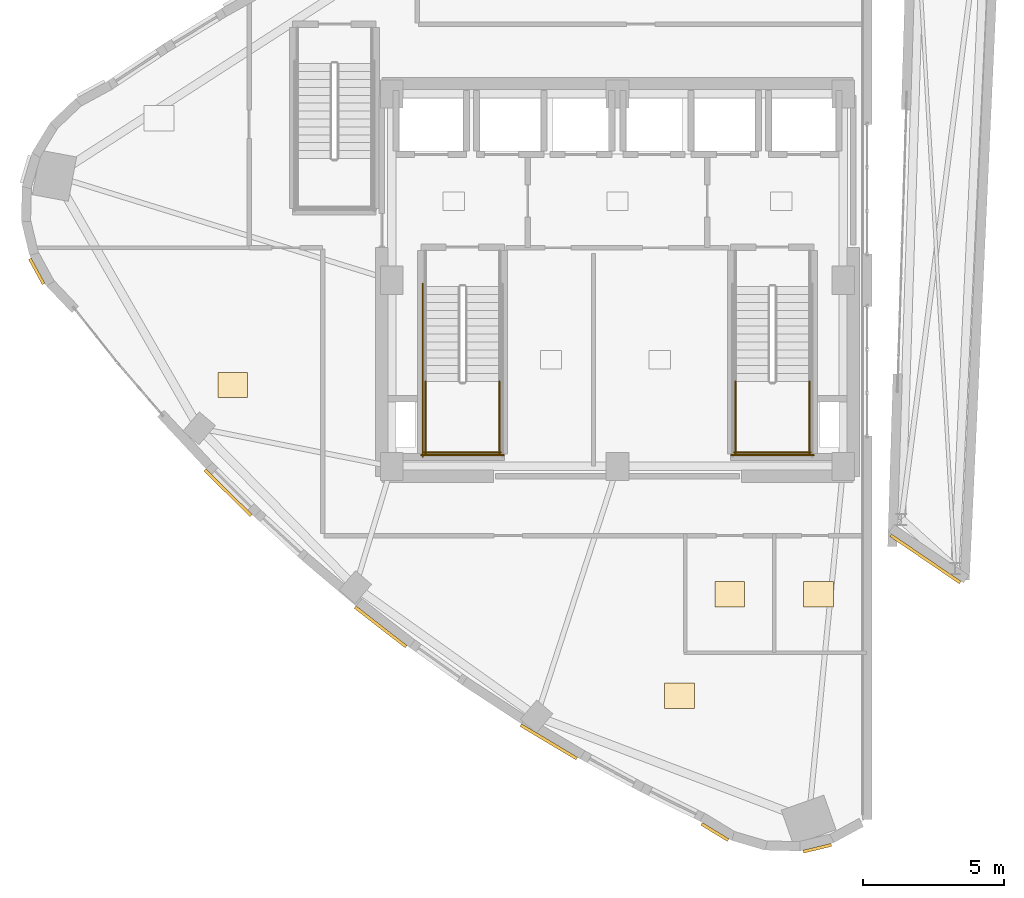
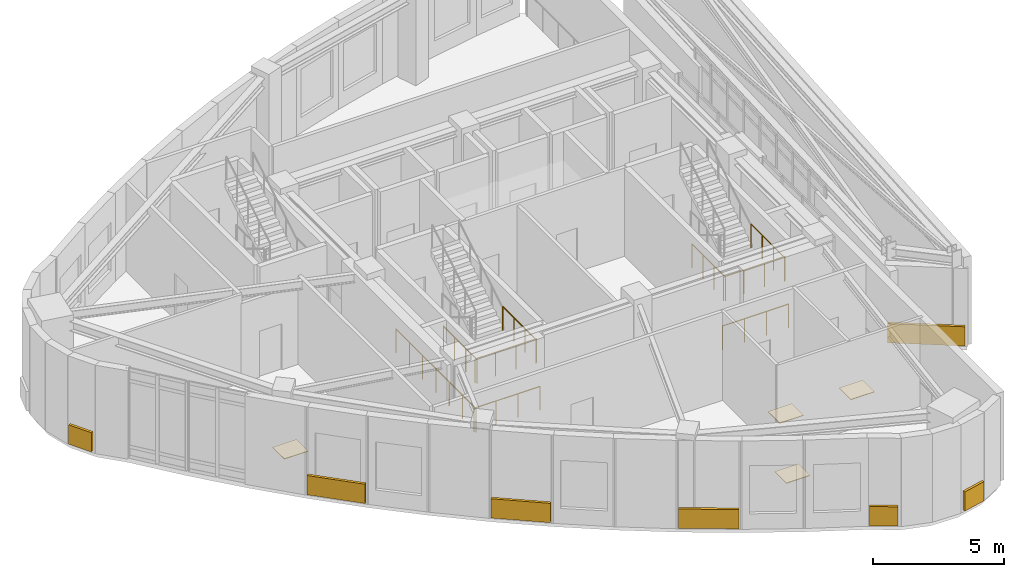
# One storey, part 17 of 19: 11 coverings, 9 railings.
"""IFC4 building model written with IfcOpenShell, lengths in metres."""

from ifc_helpers import new_model, si_unit, direction, frame, origin, origin_2d, place, context, subcontext, project, spatial, rectangle, circle, extrude, material, layer, layer_set, type_object, element, save


model = new_model("IFC4")

# Units and contexts
model_context = context("Model", 3, precision=1e-05, world=origin(), true_north=direction((0.0, 1.0)))
body_context = subcontext(model_context, "Body", "Model", "MODEL_VIEW")
ifc_project = project(units=[si_unit("LENGTHUNIT", "METRE"), si_unit("AREAUNIT", "SQUARE_METRE"), si_unit("VOLUMEUNIT", "CUBIC_METRE"), si_unit("PLANEANGLEUNIT", "RADIAN"), si_unit("MASSUNIT", "GRAM", prefix="KILO")], contexts=[model_context])

# Site, building, storey
site_placement = place(None, origin())
site = spatial("IfcSite", under=ifc_project, at=site_placement, CompositionType="ELEMENT")
building_placement = place(site_placement, origin())
building = spatial("IfcBuilding", under=site, at=building_placement, Name="Ndelora Gate Hotel", CompositionType="ELEMENT")
storey_placement = place(building_placement, frame((0.0, 0.0, 294.800048828125)))
storey = spatial("IfcBuildingStorey", under=building, at=storey_placement, Name="L73", CompositionType="ELEMENT", Elevation=294.800048828125)

# Coverings
ifc_material_1 = material(Name="Terracotta Fired Clay Brick Slip Cladding", Category="masonry")
ifc_layer_1 = layer(ifc_material_1, 0.110107421875)
ifc_layer_set_1 = layer_set([ifc_layer_1], Name="Terracotta Fired Clay Brick Slip Cladding")
covering_type_1 = type_object("IfcCoveringType", Name="COV-CLAD-BRK", PredefinedType="CLADDING", material=ifc_layer_set_1)
covering_1_placement = place(storey_placement, frame((-20.577880859375, 0.3115234375, 0.10009765625), z_axis=(0.0, 0.0, 1.0), x_axis=(-0.478538613714, 0.878066509545, 0.0)))
element("IfcCovering", 1, at=covering_1_placement, inside=storey, type_object=covering_type_1, Name="L73 Rounded-Corner Brick Cladding Band 13", PredefinedType="CLADDING", context=body_context, shape_type="SweptSolid", body=[
    extrude(rectangle(XDim=1.01611328125, YDim=0.110107421875, at=origin_2d()), origin(), (0.0, 0.0, 1.0), 0.89990234375),
])
covering_2_placement = place(storey_placement, frame((-13.801025390625, -7.532470703125, 0.10009765625), z_axis=(0.0, 0.0, 1.0), x_axis=(-0.709816657042, 0.704386480127, 0.0)))
element("IfcCovering", 2, at=covering_2_placement, inside=storey, type_object=covering_type_1, Name="L73 Rounded-Corner Brick Cladding Band 19", PredefinedType="CLADDING", context=body_context, shape_type="SweptSolid", body=[
    extrude(rectangle(XDim=2.301025390625, YDim=0.110107421875, at=origin_2d()), origin(), (0.0, 0.0, 1.0), 0.89990234375),
])
covering_3_placement = place(storey_placement, frame((-8.393798828125, -12.284912109375, 0.10009765625), z_axis=(0.0, 0.0, 1.0), x_axis=(-0.789833986695, 0.613320693815, 0.0)))
element("IfcCovering", 3, at=covering_3_placement, inside=storey, type_object=covering_type_1, Name="L73 Rounded-Corner Brick Cladding Band 22", PredefinedType="CLADDING", context=body_context, shape_type="SweptSolid", body=[
    extrude(rectangle(XDim=2.2890625, YDim=0.110107421875, at=origin_2d()), origin(), (0.0, 0.0, 1.0), 0.89990234375),
])
covering_4_placement = place(storey_placement, frame((-2.436279296875, -16.357421875, 0.10009765625), z_axis=(0.0, 0.0, 1.0), x_axis=(-0.857885593737, 0.513840741921, 0.0)))
element("IfcCovering", 4, at=covering_4_placement, inside=storey, type_object=covering_type_1, Name="L73 Rounded-Corner Brick Cladding Band 25", PredefinedType="CLADDING", context=body_context, shape_type="SweptSolid", body=[
    extrude(rectangle(XDim=2.31298828125, YDim=0.110107421875, at=origin_2d()), origin(), (0.0, 0.0, 1.0), 0.89990234375),
])
covering_5_placement = place(storey_placement, frame((3.449462890625, -19.552734375, 0.10009765625), z_axis=(0.0, 0.0, 1.0), x_axis=(-0.853368878608, 0.521307545528, 0.0)))
element("IfcCovering", 5, at=covering_5_placement, inside=storey, type_object=covering_type_1, Name="L73 Rounded-Corner Brick Cladding Band 28", PredefinedType="CLADDING", context=body_context, shape_type="SweptSolid", body=[
    extrude(rectangle(XDim=1.09912109375, YDim=0.110107421875, at=origin_2d()), origin(), (0.0, 0.0, 1.0), 0.89990234375),
])
covering_6_placement = place(storey_placement, frame((7.0830078125, -20.12890625, 0.10009765625), z_axis=(0.0, 0.0, 1.0), x_axis=(0.972002025815, 0.234972470325, 0.0)))
element("IfcCovering", 6, at=covering_6_placement, inside=storey, type_object=covering_type_1, Name="L73 Rounded-Corner Brick Cladding Band 34", PredefinedType="CLADDING", context=body_context, shape_type="SweptSolid", body=[
    extrude(rectangle(XDim=1.01611328125, YDim=0.110107421875, at=origin_2d()), origin(), (0.0, 0.0, 1.0), 0.89990234375),
])
covering_7_placement = place(storey_placement, frame((10.909423828125, -9.8759765625, 0.10009765625), z_axis=(0.0, 0.0, 1.0), x_axis=(-0.826884319778, 0.562372049186, 0.0)))
element("IfcCovering", 7, at=covering_7_placement, inside=storey, type_object=covering_type_1, Name="L73 Rounded-Corner Brick Cladding Band 1", PredefinedType="CLADDING", context=body_context, shape_type="SweptSolid", body=[
    extrude(rectangle(XDim=2.98291015625, YDim=0.110107421875, at=origin_2d()), origin(), (0.0, 0.0, 1.0), 0.89990234375),
])
ifc_material_2 = material(Name="Engineered Highland Oak Parquet", Category="wood")
ifc_layer_2 = layer(ifc_material_2, 0.030029296875)
ifc_layer_set_2 = layer_set([ifc_layer_2], Name="Engineered Highland Oak Parquet")
covering_type_2 = type_object("IfcCoveringType", Name="COV-FLR-PARQ", PredefinedType="FLOORING", material=ifc_layer_set_2)
for number, where, z_axis, x_axis, name in (
    (8, (-13.63623046875, -3.71337890625, 0.0), (0.0, 0.0, 1.0), (1.0, 0.0, 0.0), "L73 Private Summit Dining Room Oak Parquet Flooring"),
    (9, (2.19775390625, -14.725341796875, 0.0), (0.0, 0.0, 1.0), (1.0, 0.0, 0.0), "L73 Finishing Catering Kitchen Oak Parquet Flooring"),
    (10, (3.97509765625, -11.125, 0.0), (0.0, 0.0, 1.0), (1.0, 0.0, 0.0), "L73 Female Public Restroom Oak Parquet Flooring"),
    (11, (7.119873046875, -11.125, 0.0), (0.0, 0.0, 1.0), (1.0, 0.0, 0.0), "L73 Accessible WC Oak Parquet Flooring"),
):
    element("IfcCovering", number, at=place(storey_placement, frame(where, z_axis=z_axis, x_axis=x_axis)), inside=storey, type_object=covering_type_2, Name=name, PredefinedType="FLOORING", context=body_context, shape_type="SweptSolid", body=[
        extrude(rectangle(XDim=1.050048828125, YDim=0.89990234375, at=origin_2d()), origin(), (0.0, 0.0, 1.0), 0.030029296875),
    ])

# Railings
ifc_material_3 = material(Name="Painted Galvanized Steel Balustrade", Category="steel")
ifc_layer_3 = layer(ifc_material_3, 0.06005859375)
ifc_layer_set_3 = layer_set([ifc_layer_3], Name="Painted Galvanized Steel Balustrade")
railing_type = type_object("IfcRailingType", Name="RL-STAIR-GD", PredefinedType="GUARDRAIL", material=ifc_layer_set_3)
for number, where, name in (
    (12, (-6.800048828125, -3.590087890625, 2.199951171875), "L73 ST4 stair guard 3"),
    (13, (-4.179931640625, -3.590087890625, 2.199951171875), "L73 ST4 stair guard 4"),
):
    element("IfcRailing", number, at=place(storey_placement, frame(where)), inside=storey, type_object=railing_type, Name=name, PredefinedType="GUARDRAIL", context=body_context, shape_type="SweptSolid", body=[
        extrude(circle(Radius=0.02392578125, at=origin_2d()), frame((0.0, 0.0, 1.10595703125), z_axis=(0.0, -1.0, 0.0), x_axis=(1.0, 0.0, 0.0)), (0.0, 0.0, 1.0), 2.559814453125),
        extrude(circle(Radius=0.02099609375, at=origin_2d()), origin(), (0.0, 0.0, 1.0), 1.081787109375),
        extrude(circle(Radius=0.02099609375, at=origin_2d()), frame((0.0, -0.853271484375, 0.0)), (0.0, 0.0, 1.0), 1.081787109375),
        extrude(circle(Radius=0.02099609375, at=origin_2d()), frame((0.0, -1.70654296875, 0.0)), (0.0, 0.0, 1.0), 1.081787109375),
        extrude(circle(Radius=0.02099609375, at=origin_2d()), frame((0.0, -2.559814453125, 0.0)), (0.0, 0.0, 1.0), 1.081787109375),
    ])
railing_1_placement = place(storey_placement, frame((-6.85009765625, -6.10009765625, 2.199951171875)))
element("IfcRailing", 14, at=railing_1_placement, inside=storey, type_object=railing_type, Name="L73 ST4 stair guard 5", PredefinedType="GUARDRAIL", context=body_context, shape_type="SweptSolid", body=[
    extrude(circle(Radius=0.02392578125, at=origin_2d()), frame((0.0, 0.0, 1.10595703125), z_axis=(1.0, 0.0, 0.0), x_axis=(0.0, 1.0, 0.0)), (0.0, 0.0, 1.0), 2.72021484375),
    extrude(circle(Radius=0.02099609375, at=origin_2d()), origin(), (0.0, 0.0, 1.0), 1.081787109375),
    extrude(circle(Radius=0.02099609375, at=origin_2d()), frame((0.90673828125, 0.0, 0.0)), (0.0, 0.0, 1.0), 1.081787109375),
    extrude(circle(Radius=0.02099609375, at=origin_2d()), frame((1.8134765625, 0.0, 0.0)), (0.0, 0.0, 1.0), 1.081787109375),
    extrude(circle(Radius=0.02099609375, at=origin_2d()), frame((2.72021484375, 0.0, 0.0)), (0.0, 0.0, 1.0), 1.081787109375),
])
railing_2_placement = place(storey_placement, frame((-6.89990234375, -0.1298828125, 0.0)))
element("IfcRailing", 15, at=railing_2_placement, inside=storey, type_object=railing_type, Name="L73 ST4 stair guard 10", PredefinedType="GUARDRAIL", context=body_context, shape_type="SweptSolid", body=[
    extrude(circle(Radius=0.02392578125, at=origin_2d()), frame((0.0, 0.0, 1.10595703125), z_axis=(0.0, -1.0, 0.0), x_axis=(1.0, 0.0, 0.0)), (0.0, 0.0, 1.0), 6.1201171875),
    extrude(circle(Radius=0.02099609375, at=origin_2d()), origin(), (0.0, 0.0, 1.0), 1.081787109375),
    extrude(circle(Radius=0.02099609375, at=origin_2d()), frame((0.0, -1.02001953125, 0.0)), (0.0, 0.0, 1.0), 1.081787109375),
    extrude(circle(Radius=0.02099609375, at=origin_2d()), frame((0.0, -2.0400390625, 0.0)), (0.0, 0.0, 1.0), 1.081787109375),
    extrude(circle(Radius=0.02099609375, at=origin_2d()), frame((0.0, -3.06005859375, 0.0)), (0.0, 0.0, 1.0), 1.081787109375),
    extrude(circle(Radius=0.02099609375, at=origin_2d()), frame((0.0, -4.080078125, 0.0)), (0.0, 0.0, 1.0), 1.081787109375),
    extrude(circle(Radius=0.02099609375, at=origin_2d()), frame((0.0, -5.10009765625, 0.0)), (0.0, 0.0, 1.0), 1.081787109375),
    extrude(circle(Radius=0.02099609375, at=origin_2d()), frame((0.0, -6.1201171875, 0.0)), (0.0, 0.0, 1.0), 1.081787109375),
])
railing_3_placement = place(storey_placement, frame((-6.949951171875, -6.199951171875, 0.0)))
element("IfcRailing", 16, at=railing_3_placement, inside=storey, type_object=railing_type, Name="L73 ST4 stair guard 12", PredefinedType="GUARDRAIL", context=body_context, shape_type="SweptSolid", body=[
    extrude(circle(Radius=0.02392578125, at=origin_2d()), frame((0.0, 0.0, 1.10595703125), z_axis=(1.0, 0.0, 0.0), x_axis=(0.0, 1.0, 0.0)), (0.0, 0.0, 1.0), 2.919921875),
    extrude(circle(Radius=0.02099609375, at=origin_2d()), origin(), (0.0, 0.0, 1.0), 1.081787109375),
    extrude(circle(Radius=0.02099609375, at=origin_2d()), frame((0.973388671875, 0.0, 0.0)), (0.0, 0.0, 1.0), 1.081787109375),
    extrude(circle(Radius=0.02099609375, at=origin_2d()), frame((1.946533203125, 0.0, 0.0)), (0.0, 0.0, 1.0), 1.081787109375),
    extrude(circle(Radius=0.02099609375, at=origin_2d()), frame((2.919921875, 0.0, 0.0)), (0.0, 0.0, 1.0), 1.081787109375),
])
for number, where, name in (
    (17, (4.179931640625, -3.590087890625, 2.199951171875), "L73 ST5 stair guard 3"),
    (18, (6.800048828125, -3.590087890625, 2.199951171875), "L73 ST5 stair guard 4"),
):
    element("IfcRailing", number, at=place(storey_placement, frame(where)), inside=storey, type_object=railing_type, Name=name, PredefinedType="GUARDRAIL", context=body_context, shape_type="SweptSolid", body=[
        extrude(circle(Radius=0.02392578125, at=origin_2d()), frame((0.0, 0.0, 1.10595703125), z_axis=(0.0, -1.0, 0.0), x_axis=(1.0, 0.0, 0.0)), (0.0, 0.0, 1.0), 2.559814453125),
        extrude(circle(Radius=0.02099609375, at=origin_2d()), origin(), (0.0, 0.0, 1.0), 1.081787109375),
        extrude(circle(Radius=0.02099609375, at=origin_2d()), frame((0.0, -0.853271484375, 0.0)), (0.0, 0.0, 1.0), 1.081787109375),
        extrude(circle(Radius=0.02099609375, at=origin_2d()), frame((0.0, -1.70654296875, 0.0)), (0.0, 0.0, 1.0), 1.081787109375),
        extrude(circle(Radius=0.02099609375, at=origin_2d()), frame((0.0, -2.559814453125, 0.0)), (0.0, 0.0, 1.0), 1.081787109375),
    ])
railing_4_placement = place(storey_placement, frame((4.1298828125, -6.10009765625, 2.199951171875)))
element("IfcRailing", 19, at=railing_4_placement, inside=storey, type_object=railing_type, Name="L73 ST5 stair guard 5", PredefinedType="GUARDRAIL", context=body_context, shape_type="SweptSolid", body=[
    extrude(circle(Radius=0.02392578125, at=origin_2d()), frame((0.0, 0.0, 1.10595703125), z_axis=(1.0, 0.0, 0.0), x_axis=(0.0, 1.0, 0.0)), (0.0, 0.0, 1.0), 2.72021484375),
    extrude(circle(Radius=0.02099609375, at=origin_2d()), origin(), (0.0, 0.0, 1.0), 1.081787109375),
    extrude(circle(Radius=0.02099609375, at=origin_2d()), frame((0.90673828125, 0.0, 0.0)), (0.0, 0.0, 1.0), 1.081787109375),
    extrude(circle(Radius=0.02099609375, at=origin_2d()), frame((1.8134765625, 0.0, 0.0)), (0.0, 0.0, 1.0), 1.081787109375),
    extrude(circle(Radius=0.02099609375, at=origin_2d()), frame((2.72021484375, 0.0, 0.0)), (0.0, 0.0, 1.0), 1.081787109375),
])
railing_5_placement = place(storey_placement, frame((4.030029296875, -6.199951171875, 0.0)))
element("IfcRailing", 20, at=railing_5_placement, inside=storey, type_object=railing_type, Name="L73 ST5 stair guard 12", PredefinedType="GUARDRAIL", context=body_context, shape_type="SweptSolid", body=[
    extrude(circle(Radius=0.02392578125, at=origin_2d()), frame((0.0, 0.0, 1.10595703125), z_axis=(1.0, 0.0, 0.0), x_axis=(0.0, 1.0, 0.0)), (0.0, 0.0, 1.0), 2.919921875),
    extrude(circle(Radius=0.02099609375, at=origin_2d()), origin(), (0.0, 0.0, 1.0), 1.081787109375),
    extrude(circle(Radius=0.02099609375, at=origin_2d()), frame((0.973388671875, 0.0, 0.0)), (0.0, 0.0, 1.0), 1.081787109375),
    extrude(circle(Radius=0.02099609375, at=origin_2d()), frame((1.946533203125, 0.0, 0.0)), (0.0, 0.0, 1.0), 1.081787109375),
    extrude(circle(Radius=0.02099609375, at=origin_2d()), frame((2.919921875, 0.0, 0.0)), (0.0, 0.0, 1.0), 1.081787109375),
])

save(model, "model.ifc")
